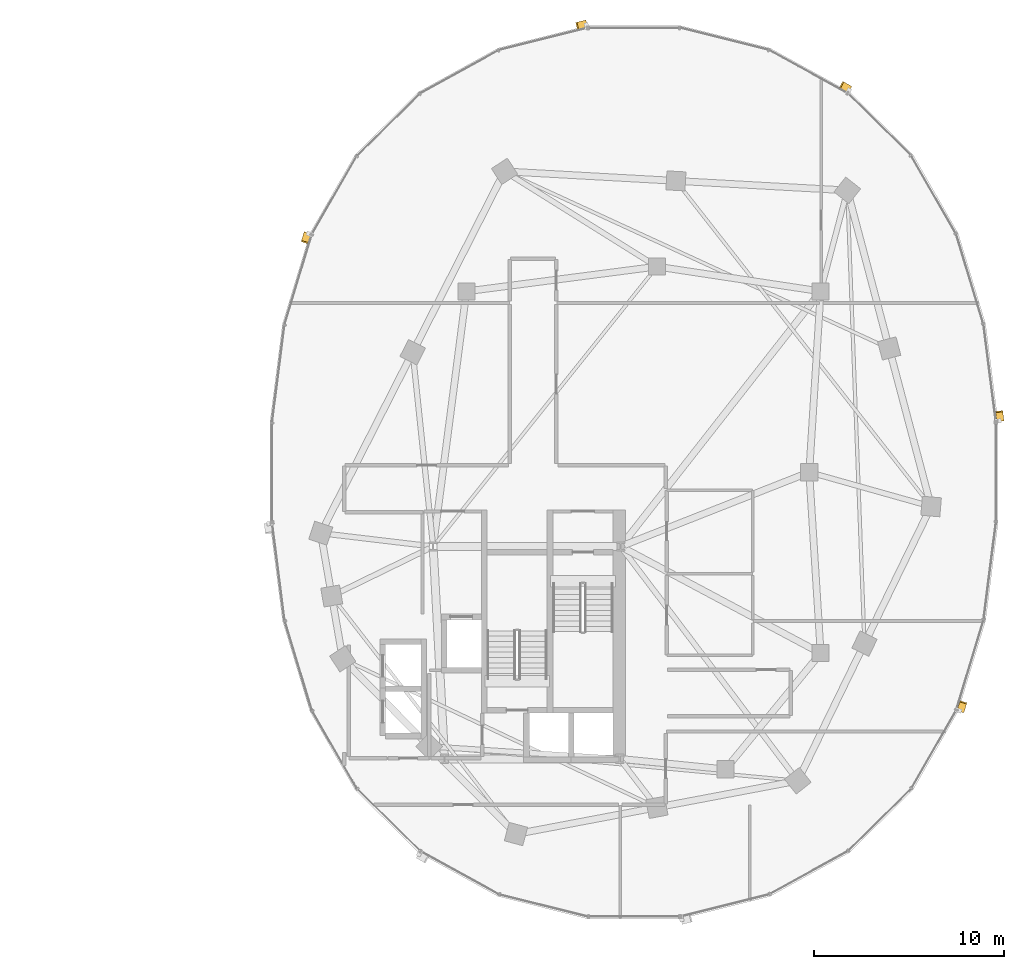
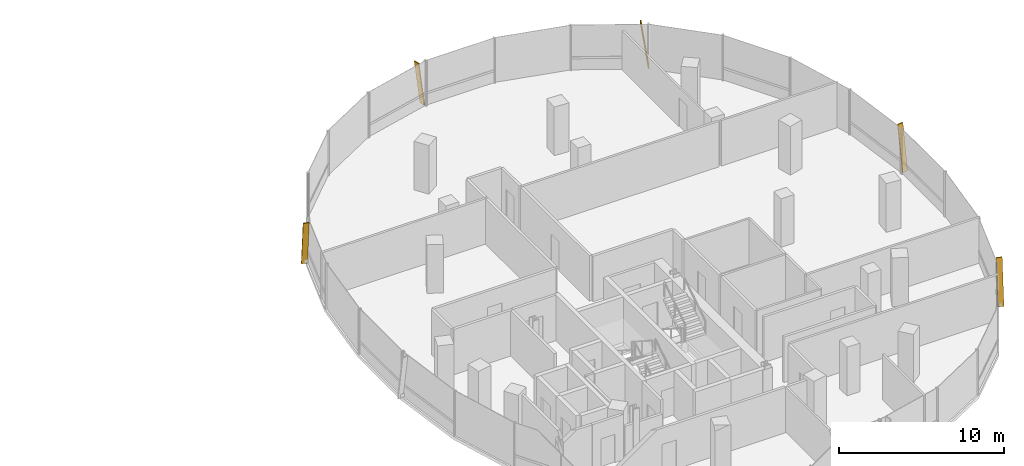
# One storey, part 22 of 22: 5 shading devices.
"""IFC4 building model written with IfcOpenShell, lengths in metres."""

from ifc_helpers import new_model, si_unit, direction, frame, origin, origin_2d, place, context, subcontext, project, spatial, rectangle, extrude, material, material_profile, profile_set, type_object, element, save


model = new_model("IFC4")

# Units and contexts
model_context = context("Model", 3, precision=1e-05, world=origin(), true_north=direction((0.0, 1.0)))
body_context = subcontext(model_context, "Body", "Model", "MODEL_VIEW")
ifc_project = project(units=[si_unit("LENGTHUNIT", "METRE"), si_unit("AREAUNIT", "SQUARE_METRE"), si_unit("VOLUMEUNIT", "CUBIC_METRE"), si_unit("PLANEANGLEUNIT", "RADIAN"), si_unit("MASSUNIT", "GRAM", prefix="KILO"), si_unit("THERMODYNAMICTEMPERATUREUNIT", "KELVIN"), si_unit("POWERUNIT", "WATT")], contexts=[model_context])

# Site, building, storey
site_placement = place(None, origin())
site = spatial("IfcSite", under=ifc_project, at=site_placement, CompositionType="ELEMENT")
building_placement = place(site_placement, origin())
building = spatial("IfcBuilding", under=site, at=building_placement, Name="Cundina Bronze Exchange", CompositionType="ELEMENT")
storey_placement = place(building_placement, frame((0.0, 0.0, 158.39990234375)))
storey = spatial("IfcBuildingStorey", under=building, at=storey_placement, Name="L41", CompositionType="ELEMENT", Elevation=158.39990234375)

# Shading devices
ifc_material = material(Name="Anodised Bronze Aluminium 6063-T6", Category="aluminium")
ifc_material_profile = material_profile(ifc_material, rectangle(XDim=0.070068359375, YDim=0.3798828125, at=origin_2d()), Name="FIN70X380", Category="aluminium")
ifc_profile_set = profile_set([ifc_material_profile], Name="Anodised Bronze Aluminium 6063-T6")
shading_device_type = type_object("IfcShadingDeviceType", Name="SHD-FIN-BRZ380", PredefinedType="USERDEFINED", material=ifc_profile_set)
for number, where, z_axis, x_axis, name in (
    (1, (51.23486328125, 2.705810546875, 0.02001953125), (-0.018121805099, 0.141917750773, 0.989712560391), (0.125360789044, -0.981741119016, 0.143070080046), "L41 Diagonal Bronze Solar Fin 1"),
    (2, (43.320068359375, 20.11181640625, 0.02001953125), (-0.125324460949, 0.068993954111, 0.989713905017), (0.867011652888, -0.477309551067, 0.143060778049), "L41 Diagonal Bronze Solar Fin 5"),
    (3, (29.48046875, 23.556396484375, 0.02001953125), (-0.138788401144, -0.034715294885, 0.989713407007), (0.960133415413, 0.240159223467, 0.14306422331), "L41 Diagonal Bronze Solar Fin 1"),
    (4, (14.848876953125, 12.5439453125, 0.02001953125), (-0.041483395017, -0.136967981441, 0.989706471636), (0.286882504107, 0.947215566191, 0.143112193758), "L41 Diagonal Bronze Solar Fin 5"),
    (5, (49.151123046875, -12.5439453125, 0.02001953125), (0.041483395017, 0.136967981441, 0.989706471636), (-0.286882504107, -0.947215566191, 0.143112193758), "L41 Diagonal Bronze Solar Fin 5"),
):
    element("IfcShadingDevice", number, at=place(storey_placement, frame(where, z_axis=z_axis, x_axis=x_axis)), inside=storey, type_object=shading_device_type, Name=name, ObjectType="FIN", PredefinedType="USERDEFINED", context=body_context, shape_type="SweptSolid", body=[
        extrude(rectangle(XDim=0.070068359375, YDim=0.3798828125, at=origin_2d()), origin(), (0.0, 0.0, 1.0), 3.3544921875),
    ])

save(model, "model.ifc")
